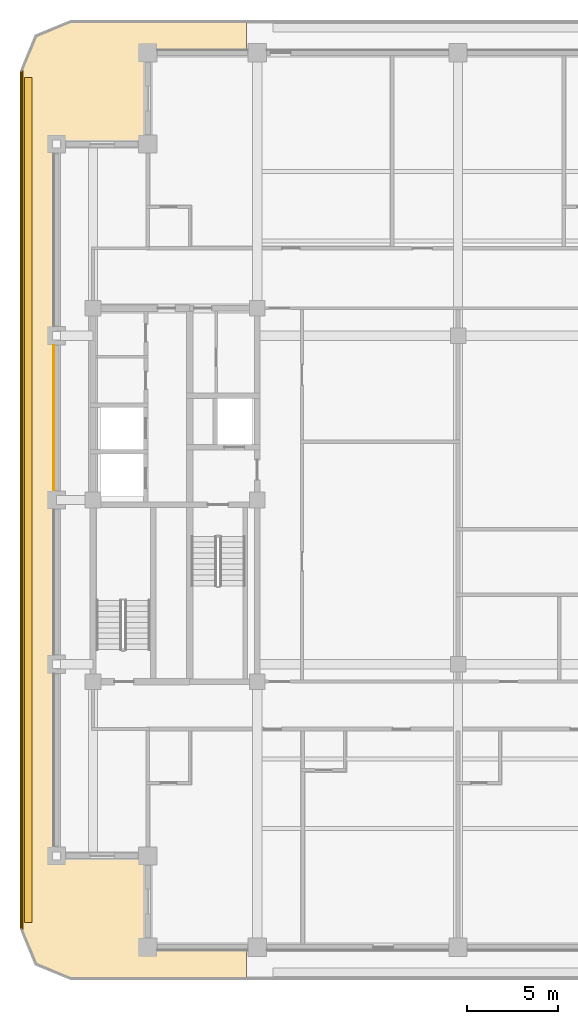
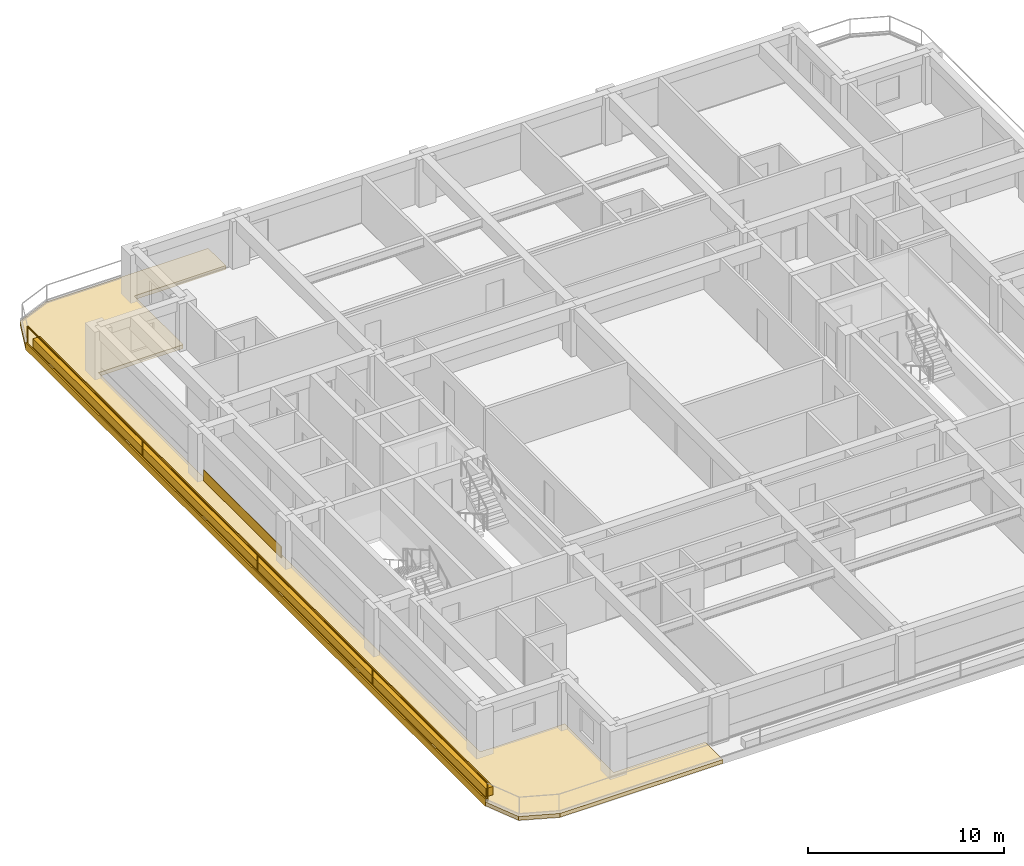
# One storey, part 9 of 13: 4 coverings, 1 railing.
"""IFC4 building model written with IfcOpenShell, lengths in metres."""

from ifc_helpers import new_model, si_unit, direction, frame, frame_2d, origin, origin_2d, place, context, subcontext, project, spatial, polyline, rectangle, outline, extrude, material, layer, layer_set, type_object, element, save


model = new_model("IFC4")

# Units and contexts
model_context = context("Model", 3, precision=1e-05, world=origin(), true_north=direction((0.0, 1.0)))
body_context = subcontext(model_context, "Body", "Model", "MODEL_VIEW")
ifc_project = project(units=[si_unit("LENGTHUNIT", "METRE"), si_unit("AREAUNIT", "SQUARE_METRE"), si_unit("VOLUMEUNIT", "CUBIC_METRE"), si_unit("PLANEANGLEUNIT", "RADIAN"), si_unit("MASSUNIT", "GRAM", prefix="KILO")], contexts=[model_context])

# Site, building, storey
site_placement = place(None, origin())
site = spatial("IfcSite", under=ifc_project, at=site_placement, CompositionType="ELEMENT")
building_placement = place(site_placement, origin())
building = spatial("IfcBuilding", under=site, at=building_placement, Name="Zulmaris Gate Convention Tower", CompositionType="ELEMENT")
storey_placement = place(building_placement, frame((0.0, 0.0, 183.059814453125)))
storey = spatial("IfcBuildingStorey", under=building, at=storey_placement, Name="L47", CompositionType="ELEMENT", Elevation=183.059814453125)

# Coverings
ifc_material_1 = material(Name="Precast concrete C40/50", Category="concrete")
ifc_layer_1 = layer(ifc_material_1, 0.0400390625, Name="Precast concrete C40/50")
ifc_layer_set_1 = layer_set([ifc_layer_1], Name="Precast concrete C40/50")
covering_type_1 = type_object("IfcCoveringType", Name="CLAD-SPANDREL-PRECAST", PredefinedType="CLADDING", material=ifc_layer_set_1)
covering_1_placement = place(storey_placement, frame((-22.14990234375, 8.469970703125, 0.0), z_axis=(0.0, 0.0, 1.0), x_axis=(0.0, -1.0, 0.0)))
element("IfcCovering", 1, at=covering_1_placement, inside=storey, type_object=covering_type_1, Name="CLD-L47-W-2_0", PredefinedType="CLADDING", context=body_context, shape_type="SweptSolid", body=[
    extrude(rectangle(XDim=7.93994140625, YDim=0.0400390625, at=frame_2d((3.969970703125, 0.0))), origin(), (0.0, 0.0, 1.0), 0.679931640625),
])
ifc_material_2 = material(Name="White Glazed Architectural Precast Concrete C40/50", Category="concrete")
ifc_layer_2 = layer(ifc_material_2, 0.239990234375, Name="White Glazed Architectural Precast Concrete C40/50")
ifc_layer_set_2 = layer_set([ifc_layer_2], Name="White Glazed Architectural Precast Concrete C40/50")
covering_type_2 = type_object("IfcCoveringType", Name="CLAD-TRAY-DECK", PredefinedType="CLADDING", material=ifc_layer_set_2)
covering_2_placement = place(storey_placement, frame((0.0, 0.0, -0.25)))
element("IfcCovering", 2, at=covering_2_placement, inside=storey, type_object=covering_type_2, Name="L47 West Rounded-Fascia Planter Tray Deck", PredefinedType="CLADDING", context=body_context, shape_type="SweptSolid", body=[
    extrude(outline(polyline([(-24.0, 23.5), (-23.179931640625, 25.47998046875), (-21.199951171875, 26.300048828125), (-11.60205078125, 26.300048828125), (-11.60205078125, 24.5), (-17.0, 24.5), (-17.0, 19.5), (-22.0, 19.5), (-22.0, -19.5), (-17.0, -19.5), (-17.0, -24.5), (-11.60205078125, -24.5), (-11.60205078125, -26.300048828125), (-21.199951171875, -26.300048828125), (-23.179931640625, -25.47998046875), (-24.0, -23.5), (-24.0, 23.5)])), origin(), (0.0, 0.0, 1.0), 0.239990234375),
])
ifc_layer_3 = layer(ifc_material_2, 0.080078125, Name="White Glazed Architectural Precast Concrete C40/50")
ifc_layer_set_3 = layer_set([ifc_layer_3], Name="White Glazed Architectural Precast Concrete C40/50")
covering_type_3 = type_object("IfcCoveringType", Name="CLAD-TRAY-FASCIA", PredefinedType="CLADDING", material=ifc_layer_set_3)
covering_3_placement = place(storey_placement, frame((-23.9599609375, 23.5, -0.2900390625), z_axis=(0.0, 0.0, 1.0), x_axis=(0.0, -1.0, 0.0)))
element("IfcCovering", 3, at=covering_3_placement, inside=storey, type_object=covering_type_3, Name="FSC-L47-TR-11", PredefinedType="CLADDING", context=body_context, shape_type="SweptSolid", body=[
    extrude(rectangle(XDim=47.0, YDim=0.080078125, at=frame_2d((23.5, 0.0))), origin(), (0.0, 0.0, 1.0), 0.43994140625),
])
ifc_material_3 = material(Name="Botanical Green Glazed Precast Concrete C40/50", Category="concrete")
ifc_layer_4 = layer(ifc_material_3, 0.419921875, Name="Botanical Green Glazed Precast Concrete C40/50")
ifc_layer_set_4 = layer_set([ifc_layer_4], Name="Botanical Green Glazed Precast Concrete C40/50")
covering_type_4 = type_object("IfcCoveringType", Name="PLANTER-BOX-200", PredefinedType="CLADDING", material=ifc_layer_set_4)
covering_4_placement = place(storey_placement, frame((0.0, 0.0, -0.010009765625)))
element("IfcCovering", 4, at=covering_4_placement, inside=storey, type_object=covering_type_4, Name="L47 W Full-Length Balcony Tree Planter Trough", PredefinedType="CLADDING", context=body_context, shape_type="SweptSolid", body=[
    extrude(outline(polyline([(-23.760009765625, -23.14990234375), (-23.340087890625, -23.14990234375), (-23.340087890625, 23.14990234375), (-23.760009765625, 23.14990234375), (-23.760009765625, -23.14990234375)])), origin(), (0.0, 0.0, 1.0), 0.52001953125),
])

# Railing
ifc_material_4 = material(Name="Laminated Glass and Stainless Steel", Category="steel")
railing_type = type_object("IfcRailingType", Name="RL-BALC-1150", PredefinedType="BALUSTRADE", material=ifc_material_4)
railing_placement = place(storey_placement, frame((-23.8798828125, 23.5, -0.010009765625)))
element("IfcRailing", 5, at=railing_placement, inside=storey, type_object=railing_type, Name="RL-L47-BALC-W", PredefinedType="BALUSTRADE", context=body_context, shape_type="SweptSolid", body=[
    extrude(rectangle(XDim=0.048095703125, YDim=0.048095703125, at=origin_2d()), frame((0.0, 0.0, 1.1259765625), z_axis=(0.0, -1.0, 0.0), x_axis=(1.0, 0.0, 0.0)), (0.0, 0.0, 1.0), 47.0),
    extrude(rectangle(XDim=0.048095703125, YDim=0.048095703125, at=origin_2d()), frame((0.0, 0.0, 0.02392578125), z_axis=(0.0, -1.0, 0.0), x_axis=(1.0, 0.0, 0.0)), (0.0, 0.0, 1.0), 47.0),
    extrude(rectangle(XDim=0.0419921875, YDim=0.0419921875, at=origin_2d()), origin(), (0.0, 0.0, 1.0), 1.101806640625),
    extrude(rectangle(XDim=0.0419921875, YDim=0.0419921875, at=origin_2d()), frame((0.0, -11.75, 0.0)), (0.0, 0.0, 1.0), 1.101806640625),
    extrude(rectangle(XDim=0.0419921875, YDim=0.0419921875, at=origin_2d()), frame((0.0, -23.5, 0.0)), (0.0, 0.0, 1.0), 1.101806640625),
    extrude(rectangle(XDim=0.0419921875, YDim=0.0419921875, at=origin_2d()), frame((0.0, -35.25, 0.0)), (0.0, 0.0, 1.0), 1.101806640625),
    extrude(rectangle(XDim=0.0419921875, YDim=0.0419921875, at=origin_2d()), frame((0.0, -47.0, 0.0)), (0.0, 0.0, 1.0), 1.101806640625),
])

save(model, "model.ifc")
